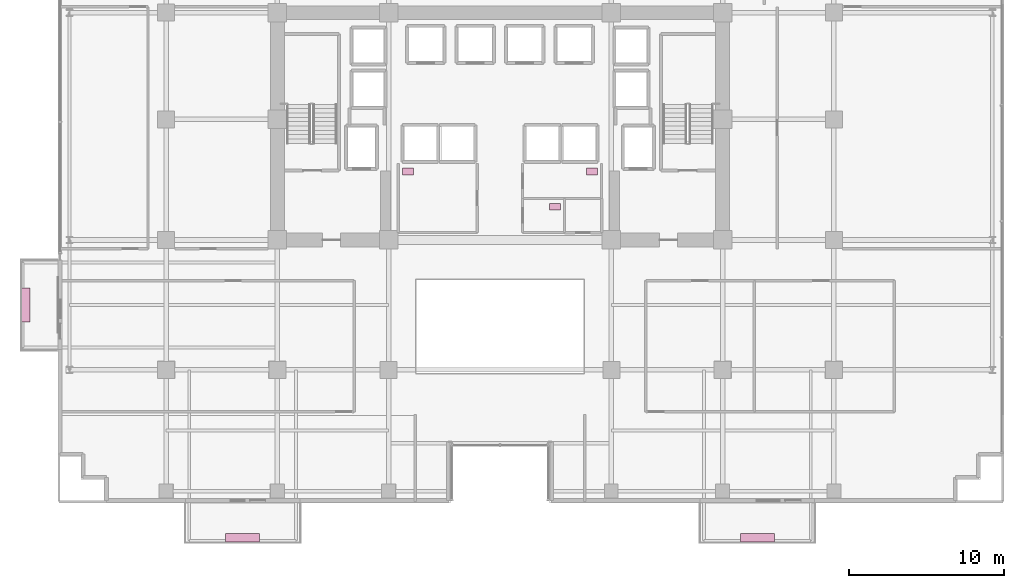
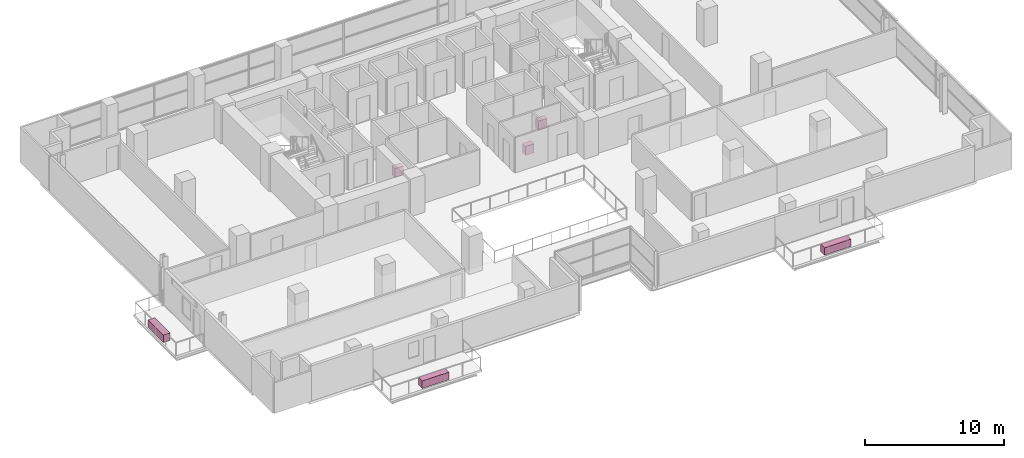
# One storey, part 31 of 31: 6 furnishings.
"""IFC4 building model written with IfcOpenShell, lengths in metres."""

from ifc_helpers import new_model, si_unit, direction, frame, origin, origin_2d, place, context, subcontext, project, spatial, rectangle, extrude, source, transform, mapped, material, type_object, element, save


model = new_model("IFC4")

# Units and contexts
model_context = context("Model", 3, precision=1e-05, world=origin(), true_north=direction((0.0, 1.0)))
body_context = subcontext(model_context, "Body", "Model", "MODEL_VIEW")
ifc_project = project(units=[si_unit("LENGTHUNIT", "METRE"), si_unit("AREAUNIT", "SQUARE_METRE"), si_unit("VOLUMEUNIT", "CUBIC_METRE"), si_unit("PLANEANGLEUNIT", "RADIAN"), si_unit("MASSUNIT", "GRAM", prefix="KILO")], contexts=[model_context])

# Site, building, storey
site_placement = place(None, origin())
site = spatial("IfcSite", under=ifc_project, at=site_placement, CompositionType="ELEMENT")
building_placement = place(site_placement, origin())
building = spatial("IfcBuilding", under=site, at=building_placement, Name="Zarnakvel Exchange Tower", CompositionType="ELEMENT")
storey_placement = place(building_placement, frame((0.0, 0.0, 60.39990234375)))
storey = spatial("IfcBuildingStorey", under=building, at=storey_placement, Name="L16", CompositionType="ELEMENT", Elevation=60.39990234375)

# Furnishings
ifc_material_1 = material(Name="Architectural Bronze Anodised Aluminium", Category="aluminium")
furnishing_element_type_1 = type_object("IfcFurnishingElementType", Name="PLNT-01", material=ifc_material_1)
shared_shape_1 = source(origin(), body_context, "Body", "SweptSolid", [
    extrude(rectangle(XDim=2.199951171875, YDim=0.550048828125, at=origin_2d()), origin(), (0.0, 0.0, 1.0), 0.64990234375),
])
for number, where, z_axis, x_axis, name in (
    (1, (-16.64990234375, -20.469970703125, -0.034912109375), (0.0, 0.0, 1.0), (1.0, 0.0, 0.0), "L16 Balcony Greenery Planter BAL-L16-SW"),
    (2, (16.64990234375, -20.469970703125, -0.034912109375), (0.0, 0.0, 1.0), (1.0, 0.0, 0.0), "L16 Balcony Greenery Planter BAL-L16-SE"),
    (3, (-30.669921875, -5.39990234375, -0.034912109375), (0.0, 0.0, 1.0), (0.0, 1.0, 0.0), "L16 Balcony Greenery Planter BAL-L16-W"),
):
    element("IfcFurnishingElement", number, at=place(storey_placement, frame(where, z_axis=z_axis, x_axis=x_axis)), inside=storey, type_object=furnishing_element_type_1, Name=name, ObjectType="PLANTER", context=body_context, shape_type="MappedRepresentation", body=[
        mapped(shared_shape_1, transform((0.0, 0.0, 0.0), x_axis=(1.0, 0.0, 0.0), y_axis=(0.0, 1.0, 0.0), z_axis=(0.0, 0.0, 1.0), scale=1.0)),
    ])
ifc_material_2 = material(Name="Vitreous China Sanitaryware", Category="ceramic")
furnishing_element_type_2 = type_object("IfcFurnishingElementType", Name="SAN-WC", material=ifc_material_2)
shared_shape_2 = source(origin(), body_context, "Body", "SweptSolid", [
    extrude(rectangle(XDim=0.699951171875, YDim=0.449951171875, at=origin_2d()), origin(), (0.0, 0.0, 1.0), 0.780029296875),
])
for number, where, z_axis, x_axis, name in (
    (4, (-5.949951171875, 3.22998046875, 0.0), (0.0, 0.0, 1.0), (1.0, 0.0, 0.0), "L16 Sanitary Fixture (Male Toilet)"),
    (5, (5.949951171875, 3.22998046875, 0.0), (0.0, 0.0, 1.0), (1.0, 0.0, 0.0), "L16 Sanitary Fixture (Female Toilet)"),
    (6, (3.550048828125, 0.949951171875, 0.0), (0.0, 0.0, 1.0), (1.0, 0.0, 0.0), "L16 Sanitary Fixture (Accessible Toilet)"),
):
    element("IfcFurnishingElement", number, at=place(storey_placement, frame(where, z_axis=z_axis, x_axis=x_axis)), inside=storey, type_object=furnishing_element_type_2, Name=name, ObjectType="SANITARY_FIXTURE", context=body_context, shape_type="MappedRepresentation", body=[
        mapped(shared_shape_2, transform((0.0, 0.0, 0.0), x_axis=(1.0, 0.0, 0.0), y_axis=(0.0, 1.0, 0.0), z_axis=(0.0, 0.0, 1.0), scale=1.0)),
    ])

save(model, "model.ifc")
